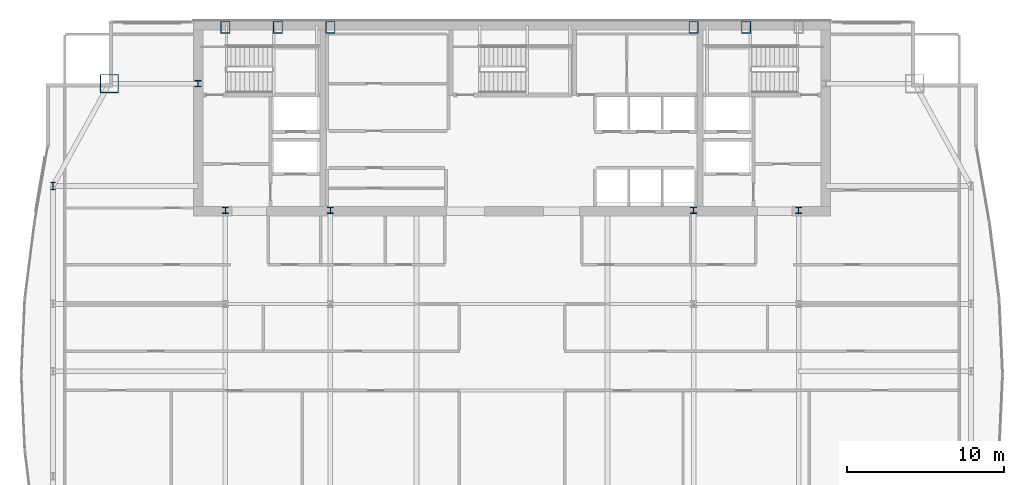
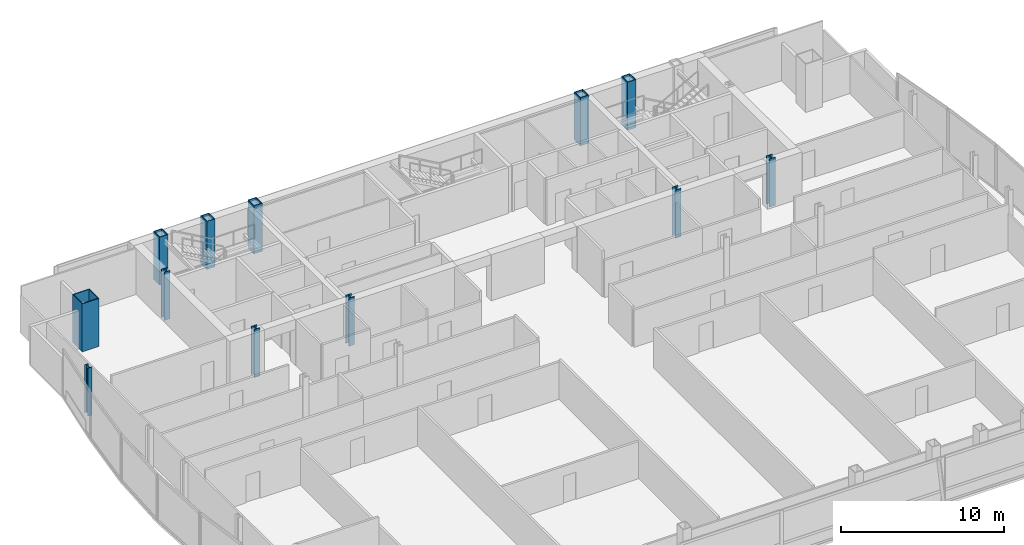
# One storey, part 3 of 30: 12 columns.
"""IFC4 building model written with IfcOpenShell, lengths in metres."""

from ifc_helpers import new_model, si_unit, direction, frame, origin, origin_2d, place, context, subcontext, project, spatial, hollow_rectangle, i_section, extrude, material, material_profile, profile_set, type_object, element, save


model = new_model("IFC4")

# Units and contexts
model_context = context("Model", 3, precision=1e-05, world=origin(), true_north=direction((0.0, 1.0)))
body_context = subcontext(model_context, "Body", "Model", "MODEL_VIEW")
ifc_project = project(units=[si_unit("LENGTHUNIT", "METRE"), si_unit("AREAUNIT", "SQUARE_METRE"), si_unit("VOLUMEUNIT", "CUBIC_METRE"), si_unit("PLANEANGLEUNIT", "RADIAN"), si_unit("MASSUNIT", "GRAM", prefix="KILO")], contexts=[model_context])

# Site, building, storey
site_placement = place(None, origin())
site = spatial("IfcSite", under=ifc_project, at=site_placement, CompositionType="ELEMENT")
building_placement = place(site_placement, origin())
building = spatial("IfcBuilding", under=site, at=building_placement, Name="Khoronbel Lancet Exchange", CompositionType="ELEMENT")
storey_placement = place(building_placement, frame((0.0, 0.0, 224.60009765625)))
storey = spatial("IfcBuildingStorey", under=building, at=storey_placement, Name="L57", CompositionType="ELEMENT", Elevation=224.60009765625)

# Columns
ifc_material_1 = material(Name="Steel S460", Category="steel")
ifc_material_profile_1 = material_profile(ifc_material_1, hollow_rectangle(XDim=0.60009765625, YDim=0.75, WallThickness=0.044921875, at=origin_2d()), Name="BOX 750x600x45")
ifc_profile_set_1 = profile_set([ifc_material_profile_1], Name="Steel S460")
column_type_1 = type_object("IfcColumnType", Name="COL-EC3", PredefinedType="COLUMN", material=ifc_profile_set_1)
for number, where, z_axis, x_axis, name in (
    (1, (18.22509765625, 53.280029296875, 0.0), (0.0, 0.0, 1.0), (1.0, 0.0, 0.0), "Structural column NC-W1 L57"),
    (2, (21.5625, 53.280029296875, 0.0), (0.0, 0.0, 1.0), (1.0, 0.0, 0.0), "Structural column NC-WM L57"),
    (3, (24.89990234375, 53.280029296875, 0.0), (0.0, 0.0, 1.0), (1.0, 0.0, 0.0), "Structural column NC-W2 L57"),
    (4, (48.0, 53.280029296875, 0.0), (0.0, 0.0, 1.0), (1.0, 0.0, 0.0), "Structural column NC-E1 L57"),
    (5, (51.33740234375, 53.280029296875, 0.0), (0.0, 0.0, 1.0), (1.0, 0.0, 0.0), "Structural column NC-EM L57"),
):
    element("IfcColumn", number, at=place(storey_placement, frame(where, z_axis=z_axis, x_axis=x_axis)), inside=storey, type_object=column_type_1, Name=name, PredefinedType="COLUMN", context=body_context, shape_type="SweptSolid", body=[
        extrude(hollow_rectangle(XDim=0.60009765625, YDim=0.75, WallThickness=0.044921875, at=origin_2d()), origin(), (0.0, 0.0, 1.0), 3.599853515625),
    ])
ifc_material_2 = material(Name="Steel S355", Category="steel")
ifc_material_profile_2 = material_profile(ifc_material_2, i_section(OverallWidth=0.406005859375, OverallDepth=0.416015625, WebThickness=0.02978515625, FlangeThickness=0.048095703125, at=origin_2d()), Name="HD 400x382")
ifc_profile_set_2 = profile_set([ifc_material_profile_2], Name="Steel S355")
column_type_2 = type_object("IfcColumnType", Name="COL-IC3", PredefinedType="COLUMN", material=ifc_profile_set_2)
for number, where, z_axis, x_axis, name in (
    (6, (16.5, 49.699951171875, 0.0), (0.0, 0.0, 1.0), (1.0, 0.0, 0.0), "Core-flank plumb transfer column CFW L57"),
    (7, (18.22509765625, 41.64990234375, 0.0), (0.0, 0.0, 1.0), (1.0, 0.0, 0.0), "Core-embedded steel column CTC1 L57"),
    (8, (24.89990234375, 41.64990234375, 0.0), (0.0, 0.0, 1.0), (1.0, 0.0, 0.0), "Core-embedded steel column CTC2 L57"),
    (9, (48.0, 41.64990234375, 0.0), (0.0, 0.0, 1.0), (1.0, 0.0, 0.0), "Core-embedded steel column CTC3 L57"),
    (10, (54.675048828125, 41.64990234375, 0.0), (0.0, 0.0, 1.0), (1.0, 0.0, 0.0), "Core-embedded steel column CTC4 L57"),
):
    element("IfcColumn", number, at=place(storey_placement, frame(where, z_axis=z_axis, x_axis=x_axis)), inside=storey, type_object=column_type_2, Name=name, PredefinedType="COLUMN", context=body_context, shape_type="SweptSolid", body=[
        extrude(i_section(OverallWidth=0.406005859375, OverallDepth=0.416015625, WebThickness=0.02978515625, FlangeThickness=0.048095703125, at=origin_2d()), origin(), (0.0, 0.0, 1.0), 3.599853515625),
    ])
ifc_material_profile_3 = material_profile(ifc_material_2, i_section(OverallWidth=0.300048828125, OverallDepth=0.449951171875, WebThickness=0.013916015625, FlangeThickness=0.02587890625, at=origin_2d()), Name="HEB 450")
ifc_profile_set_3 = profile_set([ifc_material_profile_3], Name="Steel S355")
column_type_3 = type_object("IfcColumnType", Name="COL-LC2", PredefinedType="COLUMN", material=ifc_profile_set_3)
column_1_placement = place(storey_placement, frame((7.27001953125, 43.199951171875, 0.0), z_axis=(0.0, 0.0, 1.0), x_axis=(1.0, 0.0, 0.0)))
element("IfcColumn", 11, at=column_1_placement, inside=storey, type_object=column_type_3, Name="Structural column WC-4 L57", PredefinedType="COLUMN", context=body_context, shape_type="SweptSolid", body=[
    extrude(i_section(OverallWidth=0.300048828125, OverallDepth=0.449951171875, WebThickness=0.013916015625, FlangeThickness=0.02587890625, at=origin_2d()), origin(), (0.0, 0.0, 1.0), 3.599853515625),
])
ifc_material_profile_4 = material_profile(ifc_material_1, hollow_rectangle(XDim=1.199951171875, YDim=1.199951171875, WallThickness=0.06005859375, at=origin_2d()), Name="BOX 1200x1200x60")
ifc_profile_set_4 = profile_set([ifc_material_profile_4], Name="Steel S460")
column_type_4 = type_object("IfcColumnType", Name="COL-MC5", PredefinedType="COLUMN", material=ifc_profile_set_4)
column_2_placement = place(storey_placement, frame((10.85009765625, 49.699951171875, 0.0), z_axis=(0.0, 0.0, 1.0), x_axis=(1.0, 0.0, 0.0)))
element("IfcColumn", 12, at=column_2_placement, inside=storey, type_object=column_type_4, Name="Structural column MC-NW L57", PredefinedType="COLUMN", context=body_context, shape_type="SweptSolid", body=[
    extrude(hollow_rectangle(XDim=1.199951171875, YDim=1.199951171875, WallThickness=0.06005859375, at=origin_2d()), origin(), (0.0, 0.0, 1.0), 3.599853515625),
])

save(model, "model.ifc")
